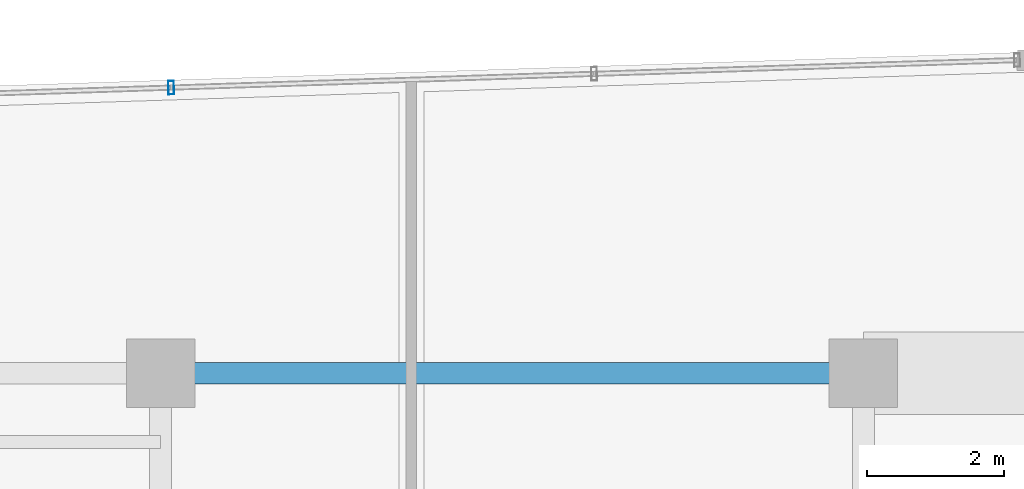
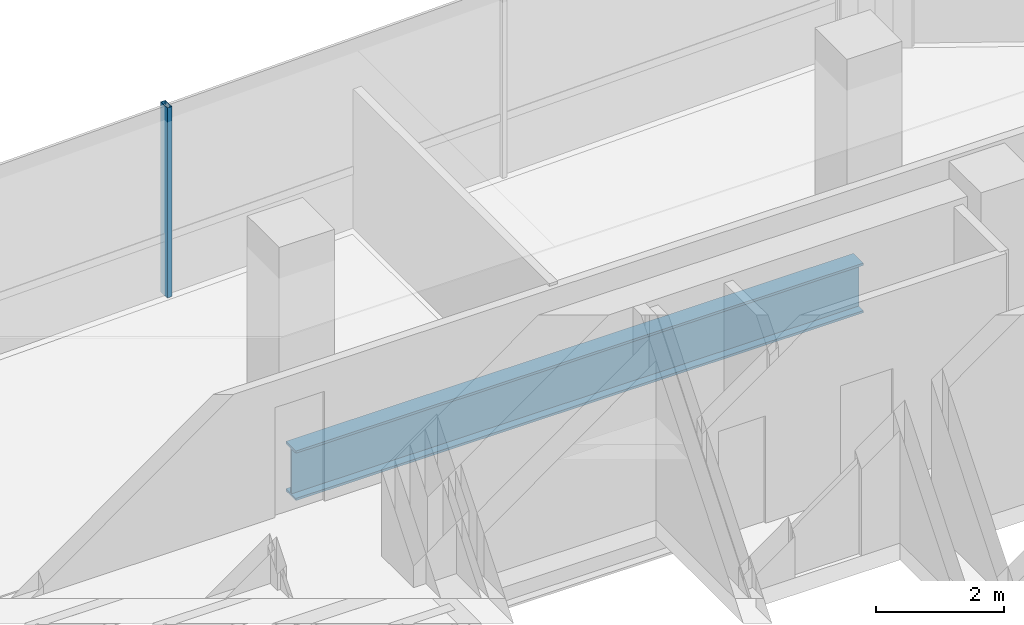
# One storey, part 19 of 37: 1 beam, 1 member, 1 element without a shape of its own.
"""IFC4 building model written with IfcOpenShell, lengths in metres."""

import ifcopenshell
import ifcopenshell.guid

model = None  # the IFC model being written
_history = None  # IfcOwnerHistory: only IFC2X3 demands one
_inside = {}  # id of a spatial element -> (the spatial element, [elements in it])
_under = {}  # id of a project, library or spatial element -> (it, [spatial elements below it])
_declared = {}  # id of a project -> (the project, [libraries it declares])
_typed = {}  # id of a type object -> (the type object, [elements of that type])
_made_of = {}  # id of a material, layer set ... -> (it, [elements and type objects made of it])


def new_model(schema):
    """Start an empty IFC model of exactly this schema.

    Asked for "IFC4X3", IfcOpenShell would pick the latest addendum, in which some entities
    have other attributes; the version numbers below select the first issue.
    IFC2X3 requires an IfcOwnerHistory on every rooted entity: one is made here for all.
    """
    global model, _history
    if schema == "IFC4X3":
        model = ifcopenshell.file(schema_version=(4, 3, 0, 0))
    else:
        model = ifcopenshell.file(schema=schema)
    _inside.clear()
    _under.clear()
    _declared.clear()
    _typed.clear()
    _made_of.clear()
    _history = None
    if model.schema == "IFC2X3":
        org = make("IfcOrganization", Name="unknown")
        user = make(
            "IfcPersonAndOrganization",
            ThePerson=make("IfcPerson", FamilyName="unknown"),
            TheOrganization=org,
        )
        app = make(
            "IfcApplication",
            ApplicationDeveloper=org,
            Version="unknown",
            ApplicationFullName="unknown",
            ApplicationIdentifier="unknown",
        )
        _history = make(
            "IfcOwnerHistory",
            OwningUser=user,
            OwningApplication=app,
            ChangeAction="ADDED",
            CreationDate=0,
        )
    return model


def make(cls, **values):
    """One entity of the class cls with the attributes given. An attribute that is None is left unset."""
    return model.create_entity(
        cls, **{name: value for name, value in values.items() if value is not None}
    )


def rooted(cls, **values):
    """An entity with a GlobalId (a new one), such as an element, a storey or a relation."""
    return make(cls, GlobalId=ifcopenshell.guid.new(), OwnerHistory=_history, **values)


def si_unit(unit_type, name, prefix=None):
    """IfcSIUnit, for example si_unit("LENGTHUNIT", "METRE", prefix="MILLI")."""
    return make("IfcSIUnit", UnitType=unit_type, Prefix=prefix, Name=name)


def assignment(units):
    """IfcUnitAssignment: the units of a project."""
    return None if units is None else make("IfcUnitAssignment", Units=units)


def point(xyz):
    """IfcCartesianPoint."""
    return None if xyz is None else make("IfcCartesianPoint", Coordinates=xyz)


def direction(xyz):
    """IfcDirection."""
    return None if xyz is None else make("IfcDirection", DirectionRatios=xyz)


def frame(location, z_axis=None, x_axis=None):
    """IfcAxis2Placement3D, a coordinate frame: its origin and axes. An axis left out is left unset."""
    return make(
        "IfcAxis2Placement3D",
        Location=point(location),
        Axis=direction(z_axis),
        RefDirection=direction(x_axis),
    )


def frame_2d(location, x_axis=None):
    """IfcAxis2Placement2D, a coordinate frame in the plane: its origin and x axis."""
    return make(
        "IfcAxis2Placement2D", Location=point(location), RefDirection=direction(x_axis)
    )


def origin():
    """The frame at (0, 0, 0) with its axes left unset."""
    return frame((0.0, 0.0, 0.0))


def origin_2d():
    """The frame at (0, 0) in the plane with its x axis left unset."""
    return frame_2d((0.0, 0.0))


def place(relative_to, where):
    """IfcLocalPlacement: puts the frame where relative to a parent placement (None: the world)."""
    return make(
        "IfcLocalPlacement", PlacementRelTo=relative_to, RelativePlacement=where
    )


def context(
    kind, dimensions, precision=None, world=None, true_north=None, identifier=None
):
    """IfcGeometricRepresentationContext, for example the 3D "Model" context."""
    return make(
        "IfcGeometricRepresentationContext",
        ContextIdentifier=identifier,
        ContextType=kind,
        CoordinateSpaceDimension=dimensions,
        Precision=precision,
        WorldCoordinateSystem=world,
        TrueNorth=true_north,
    )


def subcontext(parent, identifier, kind, view, scale=None):
    """IfcGeometricRepresentationSubContext, for example "Body" below "Model"."""
    return make(
        "IfcGeometricRepresentationSubContext",
        ContextIdentifier=identifier,
        ContextType=kind,
        ParentContext=parent,
        TargetScale=scale,
        TargetView=view,
    )


def project(units=None, contexts=None):
    """IfcProject with its units and contexts."""
    return rooted(
        "IfcProject",
        Name="project",
        RepresentationContexts=contexts,
        UnitsInContext=assignment(units),
    )


def spatial(cls, under=None, at=None, **own):
    """A site, building, storey or space (cls), placed at a placement, below another one or the project."""
    s = rooted(cls, ObjectPlacement=at, **own)
    if under is not None:
        _under.setdefault(under.id(), (under, []))[1].append(s)
    return s


def profile(cls, at=None, kind="AREA", **sizes):
    """A parametric profile (cls). Its sizes go by their IFC names, for example OverallWidth=200.0."""
    return make(cls, ProfileType=kind, Position=at, **sizes)


def hollow_rectangle(**sizes):
    """IfcRectangleHollowProfileDef."""
    return profile("IfcRectangleHollowProfileDef", **sizes)


def i_section(**sizes):
    """IfcIShapeProfileDef."""
    return profile("IfcIShapeProfileDef", **sizes)


def extrude(swept, where, along, depth):
    """IfcExtrudedAreaSolid: the profile swept, set in the frame where, extruded along a direction by depth."""
    return make(
        "IfcExtrudedAreaSolid",
        SweptArea=swept,
        Position=where,
        ExtrudedDirection=direction(along),
        Depth=depth,
    )


def shape(context_of_items, identifier, shape_type, items):
    """IfcShapeRepresentation: the items that make up one representation, for example the "Body"."""
    return make(
        "IfcShapeRepresentation",
        ContextOfItems=context_of_items,
        RepresentationIdentifier=identifier,
        RepresentationType=shape_type,
        Items=items,
    )


def source(mapping_origin, context_of_items, identifier, shape_type, items):
    """IfcRepresentationMap: a shape defined once, which mapped items show again and again."""
    return make(
        "IfcRepresentationMap",
        MappingOrigin=mapping_origin,
        MappedRepresentation=shape(context_of_items, identifier, shape_type, items),
    )


def transform(
    local_origin,
    x_axis=None,
    y_axis=None,
    z_axis=None,
    scale=None,
    scale2=None,
    scale3=None,
    uniform=True,
):
    """IfcCartesianTransformationOperator3D, or its non-uniform kind. x_axis, y_axis, z_axis: its Axis1, 2, 3."""
    if uniform:
        return make(
            "IfcCartesianTransformationOperator3D",
            Axis1=direction(x_axis),
            Axis2=direction(y_axis),
            LocalOrigin=point(local_origin),
            Scale=scale,
            Axis3=direction(z_axis),
        )
    return make(
        "IfcCartesianTransformationOperator3DnonUniform",
        Axis1=direction(x_axis),
        Axis2=direction(y_axis),
        LocalOrigin=point(local_origin),
        Scale=scale,
        Axis3=direction(z_axis),
        Scale2=scale2,
        Scale3=scale3,
    )


def mapped(mapping_source, mapping_target):
    """IfcMappedItem: shows the shape of a source again, moved by a transform."""
    return make(
        "IfcMappedItem", MappingSource=mapping_source, MappingTarget=mapping_target
    )


def material(Name=None, Category=None):
    """IfcMaterial."""
    return make("IfcMaterial", Name=Name, Category=Category)


def material_profile(
    of_material, cross_section, Name=None, Category=None, Priority=None
):
    """IfcMaterialProfile: a cross section and its material."""
    return make(
        "IfcMaterialProfile",
        Name=Name,
        Material=of_material,
        Profile=cross_section,
        Priority=Priority,
        Category=Category,
    )


def profile_set(profiles, Name=None, composite=None):
    """IfcMaterialProfileSet."""
    return make(
        "IfcMaterialProfileSet",
        Name=Name,
        MaterialProfiles=profiles,
        CompositeProfile=composite,
    )


def made_of(thing, what):
    """Note that an element or type object is made of a material, layer set ...; save() writes the relation."""
    if what is not None:
        _made_of.setdefault(what.id(), (what, []))[1].append(thing)
    return thing


def type_object(cls, material=None, **own):
    """A type object (cls), such as IfcWallType, which elements share."""
    return made_of(rooted(cls, **own), material)


def element(
    cls,
    number,
    at=None,
    inside=None,
    cuts=None,
    type_object=None,
    material=None,
    context=None,
    identifier="Body",
    shape_type=None,
    held_by="IfcProductDefinitionShape",
    body=None,
    shapes=None,
    **own,
):
    """One element of the class cls, such as IfcWall. Its Tag is "e" and its number.

    at: its placement. inside: the storey or other place that contains it. cuts: it is an
    opening in that element (IfcRelVoidsElement). A single representation is given by context,
    identifier, shape_type and body (its items); several are given by shapes. held_by: the class
    of the entity that holds the representations. save() writes the other relations.
    """
    e = rooted(cls, Tag="e%d" % number, ObjectPlacement=at, **own)
    if body is not None:
        shapes = [shape(context, identifier, shape_type, body)]
    if shapes is not None:
        e.Representation = make(held_by, Representations=shapes)
    if inside is not None:
        _inside.setdefault(inside.id(), (inside, []))[1].append(e)
    if cuts is not None:
        rooted(
            "IfcRelVoidsElement", RelatingBuildingElement=cuts, RelatedOpeningElement=e
        )
    if type_object is not None:
        _typed.setdefault(type_object.id(), (type_object, []))[1].append(e)
    return made_of(e, material)


def aggregate(whole, parts):
    """IfcRelAggregates: a whole, such as a stair, and the parts it consists of."""
    return rooted("IfcRelAggregates", RelatingObject=whole, RelatedObjects=parts)


def save(model, path):
    """Write the relations noted so far, then the file.

    IfcRelAggregates (storeys below a building ...), IfcRelContainedInSpatialStructure (elements
    in a storey), IfcRelDefinesByType, IfcRelAssociatesMaterial and IfcRelDeclares: one each for
    every whole, place, type object, material and project.
    """
    for whole, parts in _under.values():
        aggregate(whole, parts)
    for where, things in _inside.values():
        rooted(
            "IfcRelContainedInSpatialStructure",
            RelatedElements=things,
            RelatingStructure=where,
        )
    for kind, things in _typed.values():
        rooted("IfcRelDefinesByType", RelatedObjects=things, RelatingType=kind)
    for what, things in _made_of.values():
        rooted("IfcRelAssociatesMaterial", RelatedObjects=things, RelatingMaterial=what)
    for by, libraries in _declared.values():
        rooted("IfcRelDeclares", RelatingContext=by, RelatedDefinitions=libraries)
    model.write(path)


model = new_model("IFC4")

# Units and contexts
model_context = context("Model", 3, precision=1e-05, world=origin(), true_north=direction((0.0, 1.0)))
body_context = subcontext(model_context, "Body", "Model", "MODEL_VIEW")
ifc_project = project(units=[si_unit("LENGTHUNIT", "METRE"), si_unit("AREAUNIT", "SQUARE_METRE"), si_unit("VOLUMEUNIT", "CUBIC_METRE"), si_unit("PLANEANGLEUNIT", "RADIAN"), si_unit("MASSUNIT", "GRAM", prefix="KILO")], contexts=[model_context])

# Site, building, storey
site_placement = place(None, origin())
site = spatial("IfcSite", under=ifc_project, at=site_placement, CompositionType="ELEMENT")
building_placement = place(site_placement, origin())
building = spatial("IfcBuilding", under=site, at=building_placement, Name="Valdorenza Pilgrim Sanctuary Tower", CompositionType="ELEMENT")
storey_placement = place(building_placement, frame((0.0, 0.0, 188.39990234375)))
storey = spatial("IfcBuildingStorey", under=building, at=storey_placement, Name="L48", CompositionType="ELEMENT", Elevation=188.39990234375)

# Beam
ifc_material_1 = material(Name="Steel ASTM A992 Grade 50", Category="steel")
ifc_material_profile_1 = material_profile(ifc_material_1, i_section(OverallWidth=0.31005859375, OverallDepth=0.949951171875, WebThickness=0.0244140625, FlangeThickness=0.0439453125, at=origin_2d()), Name="W36X256")
ifc_profile_set_1 = profile_set([ifc_material_profile_1], Name="Steel ASTM A992 Grade 50")
beam_type = type_object("IfcBeamType", Name="STR-BM-GRD-W36B", PredefinedType="BEAM", material=ifc_profile_set_1)
shared_shape_1 = source(origin(), body_context, "Body", "SweptSolid", [
    extrude(i_section(OverallWidth=0.31005859375, OverallDepth=0.949951171875, WebThickness=0.0244140625, FlangeThickness=0.0439453125, at=origin_2d()), origin(), (0.0, 0.0, 1.0), 10.25),
])
beam_placement = place(storey_placement, frame((-22.64990234375, 14.800048828125, -0.794921875), z_axis=(1.0, 0.0, 0.0), x_axis=(0.0, 1.0, 0.0)))
element("IfcBeam", 1, at=beam_placement, inside=storey, type_object=beam_type, Name="L48 Floor Girder CA-XC-N2", PredefinedType="BEAM", context=body_context, shape_type="MappedRepresentation", body=[
    mapped(shared_shape_1, transform((0.0, 0.0, 0.0), x_axis=(1.0, 0.0, 0.0), y_axis=(0.0, 1.0, 0.0), z_axis=(0.0, 0.0, 1.0), scale=1.0)),
])

# Curtain wall, member
ifc_material_2 = material(Name="Curtain-wall IGU glazing", Category="glass")
curtain_wall_type = type_object("IfcCurtainWallType", Name="CW-SYS-02", PredefinedType="NOTDEFINED", material=ifc_material_2)
curtain_wall_placement = place(storey_placement, origin())
curtain_wall = element("IfcCurtainWall", 2, at=curtain_wall_placement, inside=storey, type_object=curtain_wall_type, Name="L48 Curtain Wall CW-L48-1-6", PredefinedType="NOTDEFINED")
ifc_material_3 = material(Name="Anodised aluminium AW-6060", Category="aluminium")
ifc_material_profile_2 = material_profile(ifc_material_3, hollow_rectangle(XDim=0.0849609375, YDim=0.199951171875, WallThickness=0.0048828125, at=origin_2d()), Name="ALU-M 200x85x5")
ifc_profile_set_2 = profile_set([ifc_material_profile_2], Name="Anodised aluminium AW-6060")
member_type = type_object("IfcMemberType", Name="CW-MUL-02", PredefinedType="MULLION", material=ifc_profile_set_2)
shared_shape_2 = source(origin(), body_context, "Body", "SweptSolid", [
    extrude(hollow_rectangle(XDim=0.0849609375, YDim=0.199951171875, WallThickness=0.0048828125, at=origin_2d()), origin(), (0.0, 0.0, 1.0), 3.630126953125),
])
member_placement = place(storey_placement, frame((-22.495361328125, 18.966796875, 0.0), z_axis=(0.0, 0.0, 1.0), x_axis=(0.999470282811, 0.032544642846, 0.0)))
member = element("IfcMember", 3, at=member_placement, type_object=member_type, Name="CW-L48-1-6 Mullion 2", PredefinedType="MULLION", context=body_context, shape_type="MappedRepresentation", body=[
    mapped(shared_shape_2, transform((0.0, 0.0, 0.0), x_axis=(1.0, 0.0, 0.0), y_axis=(0.0, 1.0, 0.0), z_axis=(0.0, 0.0, 1.0), scale=1.0)),
])
aggregate(curtain_wall, [member])

save(model, "model.ifc")
